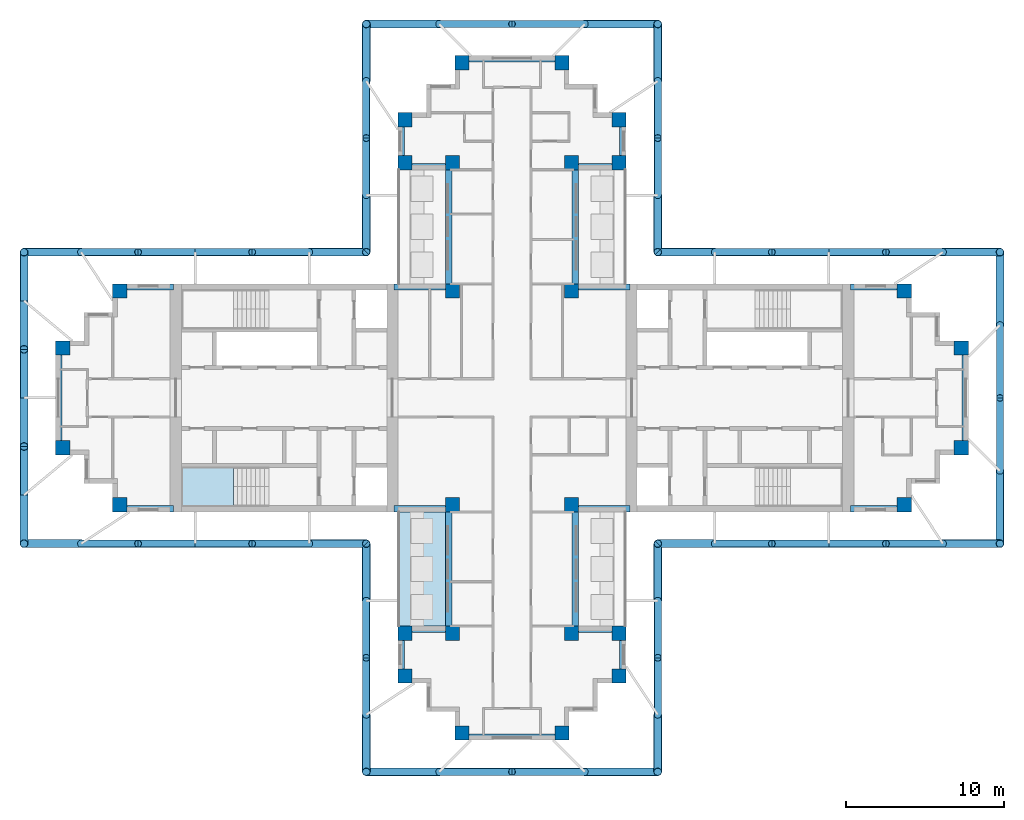
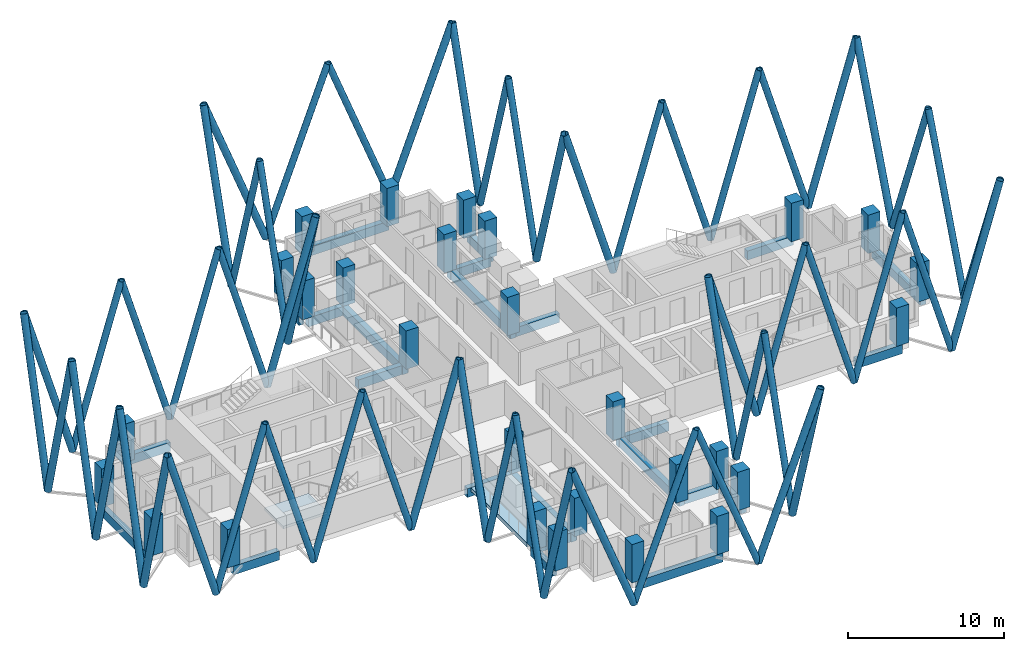
# One storey, part 1 of 11: 58 members, 28 columns, 24 beams, 2 slabs, 1 element without a shape of its own.
"""IFC4 building model written with IfcOpenShell, lengths in metres."""

from ifc_helpers import new_model, si_unit, direction, frame, origin, origin_2d, place, context, subcontext, project, spatial, polyline, rectangle, hollow_circle, outline, extrude, material, layer, layer_set, material_profile, profile_set, type_object, element, aggregate, save


model = new_model("IFC4")

# Units and contexts
model_context = context("Model", 3, precision=1e-05, world=origin(), true_north=direction((0.0, 1.0)))
body_context = subcontext(model_context, "Body", "Model", "MODEL_VIEW")
ifc_project = project(units=[si_unit("LENGTHUNIT", "METRE"), si_unit("AREAUNIT", "SQUARE_METRE"), si_unit("VOLUMEUNIT", "CUBIC_METRE"), si_unit("PLANEANGLEUNIT", "RADIAN"), si_unit("MASSUNIT", "GRAM", prefix="KILO")], contexts=[model_context])

# Site, building, storey
site_placement = place(None, origin())
site = spatial("IfcSite", under=ifc_project, at=site_placement, CompositionType="ELEMENT")
building_placement = place(site_placement, origin())
building = spatial("IfcBuilding", under=site, at=building_placement, Name="Fustian Cross Tower", CompositionType="ELEMENT")
storey_placement = place(building_placement, frame((0.0, 0.0, 210.89990234375)))
storey = spatial("IfcBuildingStorey", under=building, at=storey_placement, Name="L66", CompositionType="ELEMENT", Elevation=210.89990234375)

# Columns
ifc_material_1 = material(Name="Concrete C40/50", Category="concrete")
ifc_material_profile_1 = material_profile(ifc_material_1, rectangle(XDim=0.89990234375, YDim=0.89990234375, at=origin_2d()), Name="RC 900x900")
ifc_profile_set_1 = profile_set([ifc_material_profile_1], Name="Concrete C40/50")
column_type = type_object("IfcColumnType", Name="COLUMN RC 900x900 C40/50", PredefinedType="COLUMN", material=ifc_profile_set_1)
for number, where, z_axis, x_axis, name in (
    (1, (-28.35009765625, -3.14990234375, 0.0), (0.0, 0.0, 1.0), (1.0, 0.0, 0.0), "COLUMN 008"),
    (2, (-28.35009765625, 3.14990234375, 0.0), (0.0, 0.0, 1.0), (1.0, 0.0, 0.0), "COLUMN 009"),
    (3, (-24.75, -6.75, 0.0), (0.0, 0.0, 1.0), (1.0, 0.0, 0.0), "COLUMN 011"),
    (4, (-24.75, 6.75, 0.0), (0.0, 0.0, 1.0), (1.0, 0.0, 0.0), "COLUMN 012"),
    (5, (-6.75, -17.550048828125, 0.0), (0.0, 0.0, 1.0), (1.0, 0.0, 0.0), "COLUMN 017"),
    (6, (-6.75, -14.85009765625, 0.0), (0.0, 0.0, 1.0), (1.0, 0.0, 0.0), "COLUMN 018"),
    (7, (-6.75, 14.85009765625, 0.0), (0.0, 0.0, 1.0), (1.0, 0.0, 0.0), "COLUMN 019"),
    (8, (-6.75, 17.550048828125, 0.0), (0.0, 0.0, 1.0), (1.0, 0.0, 0.0), "COLUMN 020"),
    (9, (-3.75, -14.85009765625, 0.0), (0.0, 0.0, 1.0), (1.0, 0.0, 0.0), "COLUMN 025"),
    (10, (-3.75, -6.75, 0.0), (0.0, 0.0, 1.0), (1.0, 0.0, 0.0), "COLUMN 026"),
    (11, (-3.75, 6.75, 0.0), (0.0, 0.0, 1.0), (1.0, 0.0, 0.0), "COLUMN 027"),
    (12, (-3.75, 14.85009765625, 0.0), (0.0, 0.0, 1.0), (1.0, 0.0, 0.0), "COLUMN 028"),
    (13, (-3.14990234375, -21.14990234375, 0.0), (0.0, 0.0, 1.0), (1.0, 0.0, 0.0), "COLUMN 030"),
    (14, (-3.14990234375, 21.14990234375, 0.0), (0.0, 0.0, 1.0), (1.0, 0.0, 0.0), "COLUMN 031"),
    (15, (3.14990234375, -21.14990234375, 0.0), (0.0, 0.0, 1.0), (1.0, 0.0, 0.0), "COLUMN 034"),
    (16, (3.14990234375, 21.14990234375, 0.0), (0.0, 0.0, 1.0), (1.0, 0.0, 0.0), "COLUMN 035"),
    (17, (3.75, -14.85009765625, 0.0), (0.0, 0.0, 1.0), (1.0, 0.0, 0.0), "COLUMN 037"),
    (18, (3.75, -6.75, 0.0), (0.0, 0.0, 1.0), (1.0, 0.0, 0.0), "COLUMN 038"),
    (19, (3.75, 6.75, 0.0), (0.0, 0.0, 1.0), (1.0, 0.0, 0.0), "COLUMN 039"),
    (20, (3.75, 14.85009765625, 0.0), (0.0, 0.0, 1.0), (1.0, 0.0, 0.0), "COLUMN 040"),
    (21, (6.75, -17.550048828125, 0.0), (0.0, 0.0, 1.0), (1.0, 0.0, 0.0), "COLUMN 045"),
    (22, (6.75, -14.85009765625, 0.0), (0.0, 0.0, 1.0), (1.0, 0.0, 0.0), "COLUMN 046"),
    (23, (6.75, 14.85009765625, 0.0), (0.0, 0.0, 1.0), (1.0, 0.0, 0.0), "COLUMN 047"),
    (24, (6.75, 17.550048828125, 0.0), (0.0, 0.0, 1.0), (1.0, 0.0, 0.0), "COLUMN 048"),
    (25, (24.75, -6.75, 0.0), (0.0, 0.0, 1.0), (1.0, 0.0, 0.0), "COLUMN 053"),
    (26, (24.75, 6.75, 0.0), (0.0, 0.0, 1.0), (1.0, 0.0, 0.0), "COLUMN 054"),
    (27, (28.35009765625, -3.14990234375, 0.0), (0.0, 0.0, 1.0), (1.0, 0.0, 0.0), "COLUMN 056"),
    (28, (28.35009765625, 3.14990234375, 0.0), (0.0, 0.0, 1.0), (1.0, 0.0, 0.0), "COLUMN 057"),
):
    element("IfcColumn", number, at=place(storey_placement, frame(where, z_axis=z_axis, x_axis=x_axis)), inside=storey, type_object=column_type, Name=name, PredefinedType="COLUMN", context=body_context, shape_type="SweptSolid", body=[
        extrude(rectangle(XDim=0.89990234375, YDim=0.89990234375, at=origin_2d()), origin(), (0.0, 0.0, 1.0), 3.0),
    ])

# Members
ifc_material_2 = material(Name="Steel S355", Category="steel")
ifc_material_profile_2 = material_profile(ifc_material_2, hollow_circle(Radius=0.228515625, WallThickness=0.01611328125, at=origin_2d()), Name="CHS 457x16")
ifc_profile_set_2 = profile_set([ifc_material_profile_2], Name="Steel S355")
member_type_1 = type_object("IfcMemberType", Name="DIAGRID DIAGONAL CHS 457x16", PredefinedType="BRACE", material=ifc_profile_set_2)
for number, where, z_axis, x_axis, name in (
    (29, (12.800048828125, -9.199951171875, 0.0), (0.287337158709, 0.0, 0.957829503213), (0.0, 1.0, 0.0), "Diagrid diagonal E-S 02"),
    (30, (20.0, -9.199951171875, 0.0), (-0.287355036744, 0.0, 0.957824139839), (0.0, -1.0, 0.0), "Diagrid diagonal E-S 03"),
    (31, (20.0, -9.199951171875, 0.0), (0.287355036744, 0.0, 0.957824139839), (0.0, 1.0, 0.0), "Diagrid diagonal E-S 04"),
    (32, (27.199951171875, -9.199951171875, 0.0), (-0.287337158709, 0.0, 0.957829503213), (0.0, -1.0, 0.0), "Diagrid diagonal E-S 05"),
):
    element("IfcMember", number, at=place(storey_placement, frame(where, z_axis=z_axis, x_axis=x_axis)), inside=storey, type_object=member_type_1, Name=name, PredefinedType="BRACE", context=body_context, shape_type="SweptSolid", body=[
        extrude(hollow_circle(Radius=0.228515625, WallThickness=0.01611328125, at=origin_2d()), origin(), (0.0, 0.0, 1.0), 12.5283203125),
    ])
for number, where, z_axis, x_axis, name in (
    (33, (30.800048828125, -4.60009765625, 0.0), (0.0, 0.3579426369, 0.933743577589), (-1.0, 0.0, 0.0), "Diagrid diagonal E-end 02"),
    (34, (30.800048828125, 4.60009765625, 0.0), (0.0, -0.3579426369, 0.933743577589), (1.0, 0.0, 0.0), "Diagrid diagonal E-end 03"),
):
    element("IfcMember", number, at=place(storey_placement, frame(where, z_axis=z_axis, x_axis=x_axis)), inside=storey, type_object=member_type_1, Name=name, PredefinedType="BRACE", context=body_context, shape_type="SweptSolid", body=[
        extrude(hollow_circle(Radius=0.228515625, WallThickness=0.01611328125, at=origin_2d()), origin(), (0.0, 0.0, 1.0), 12.8515625),
    ])
for number, where, z_axis, x_axis, name in (
    (35, (27.199951171875, 9.199951171875, 0.0), (-0.287337158709, 0.0, 0.957829503213), (0.0, -1.0, 0.0), "Diagrid diagonal E-N 02"),
    (36, (20.0, 9.199951171875, 0.0), (0.287355036744, 0.0, 0.957824139839), (0.0, 1.0, 0.0), "Diagrid diagonal E-N 03"),
    (37, (20.0, 9.199951171875, 0.0), (-0.287355036744, 0.0, 0.957824139839), (0.0, -1.0, 0.0), "Diagrid diagonal E-N 04"),
    (38, (12.800048828125, 9.199951171875, 0.0), (0.287337158709, 0.0, 0.957829503213), (0.0, 1.0, 0.0), "Diagrid diagonal E-N 05"),
    (39, (9.199951171875, 12.800048828125, 0.0), (0.0, 0.287337158709, 0.957829503213), (-1.0, 0.0, 0.0), "Diagrid diagonal N-E 02"),
    (40, (9.199951171875, 20.0, 0.0), (0.0, -0.287355036744, 0.957824139839), (1.0, 0.0, 0.0), "Diagrid diagonal N-E 03"),
):
    element("IfcMember", number, at=place(storey_placement, frame(where, z_axis=z_axis, x_axis=x_axis)), inside=storey, type_object=member_type_1, Name=name, PredefinedType="BRACE", context=body_context, shape_type="SweptSolid", body=[
        extrude(hollow_circle(Radius=0.228515625, WallThickness=0.01611328125, at=origin_2d()), origin(), (0.0, 0.0, 1.0), 12.5283203125),
    ])
for number, where, z_axis, x_axis, name in (
    (41, (4.60009765625, 23.60009765625, 0.0), (-0.3579426369, 0.0, 0.933743577589), (0.0, -1.0, 0.0), "Diagrid diagonal N-end 02"),
    (42, (-4.60009765625, 23.60009765625, 0.0), (0.3579426369, 0.0, 0.933743577589), (0.0, 1.0, 0.0), "Diagrid diagonal N-end 03"),
):
    element("IfcMember", number, at=place(storey_placement, frame(where, z_axis=z_axis, x_axis=x_axis)), inside=storey, type_object=member_type_1, Name=name, PredefinedType="BRACE", context=body_context, shape_type="SweptSolid", body=[
        extrude(hollow_circle(Radius=0.228515625, WallThickness=0.01611328125, at=origin_2d()), origin(), (0.0, 0.0, 1.0), 12.8515625),
    ])
for number, where, z_axis, x_axis, name in (
    (43, (-9.199951171875, 20.0, 0.0), (0.0, -0.287355036744, 0.957824139839), (1.0, 0.0, 0.0), "Diagrid diagonal N-W 02"),
    (44, (-9.199951171875, 12.800048828125, 0.0), (0.0, 0.287337158709, 0.957829503213), (-1.0, 0.0, 0.0), "Diagrid diagonal N-W 03"),
    (45, (-12.800048828125, 9.199951171875, 0.0), (-0.287337158709, 0.0, 0.957829503213), (0.0, -1.0, 0.0), "Diagrid diagonal W-N 02"),
    (46, (-20.0, 9.199951171875, 0.0), (0.287355036744, 0.0, 0.957824139839), (0.0, 1.0, 0.0), "Diagrid diagonal W-N 03"),
    (47, (-20.0, 9.199951171875, 0.0), (-0.287355036744, 0.0, 0.957824139839), (0.0, -1.0, 0.0), "Diagrid diagonal W-N 04"),
    (48, (-27.199951171875, 9.199951171875, 0.0), (0.287337158709, 0.0, 0.957829503213), (0.0, 1.0, 0.0), "Diagrid diagonal W-N 05"),
    (49, (-27.199951171875, -9.199951171875, 0.0), (0.287337158709, 0.0, 0.957829503213), (0.0, 1.0, 0.0), "Diagrid diagonal W-S 02"),
    (50, (-20.0, -9.199951171875, 0.0), (-0.287355036744, 0.0, 0.957824139839), (0.0, -1.0, 0.0), "Diagrid diagonal W-S 03"),
    (51, (-20.0, -9.199951171875, 0.0), (0.287355036744, 0.0, 0.957824139839), (0.0, 1.0, 0.0), "Diagrid diagonal W-S 04"),
    (52, (-12.800048828125, -9.199951171875, 0.0), (-0.287337158709, 0.0, 0.957829503213), (0.0, -1.0, 0.0), "Diagrid diagonal W-S 05"),
    (53, (-9.199951171875, -12.800048828125, 0.0), (0.0, -0.287337158709, 0.957829503213), (1.0, 0.0, 0.0), "Diagrid diagonal S-W 02"),
    (54, (-9.199951171875, -20.0, 0.0), (0.0, 0.287355036744, 0.957824139839), (-1.0, 0.0, 0.0), "Diagrid diagonal S-W 03"),
):
    element("IfcMember", number, at=place(storey_placement, frame(where, z_axis=z_axis, x_axis=x_axis)), inside=storey, type_object=member_type_1, Name=name, PredefinedType="BRACE", context=body_context, shape_type="SweptSolid", body=[
        extrude(hollow_circle(Radius=0.228515625, WallThickness=0.01611328125, at=origin_2d()), origin(), (0.0, 0.0, 1.0), 12.5283203125),
    ])
for number, where, z_axis, x_axis, name in (
    (55, (-4.60009765625, -23.60009765625, 0.0), (0.3579426369, 0.0, 0.933743577589), (0.0, 1.0, 0.0), "Diagrid diagonal S-end 02"),
    (56, (4.60009765625, -23.60009765625, 0.0), (-0.3579426369, 0.0, 0.933743577589), (0.0, -1.0, 0.0), "Diagrid diagonal S-end 03"),
):
    element("IfcMember", number, at=place(storey_placement, frame(where, z_axis=z_axis, x_axis=x_axis)), inside=storey, type_object=member_type_1, Name=name, PredefinedType="BRACE", context=body_context, shape_type="SweptSolid", body=[
        extrude(hollow_circle(Radius=0.228515625, WallThickness=0.01611328125, at=origin_2d()), origin(), (0.0, 0.0, 1.0), 12.8515625),
    ])
for number, where, z_axis, x_axis, name in (
    (57, (9.199951171875, -20.0, 0.0), (0.0, 0.287355036744, 0.957824139839), (-1.0, 0.0, 0.0), "Diagrid diagonal S-E 02"),
    (58, (9.199951171875, -12.800048828125, 0.0), (0.0, -0.287337158709, 0.957829503213), (1.0, 0.0, 0.0), "Diagrid diagonal S-E 03"),
):
    element("IfcMember", number, at=place(storey_placement, frame(where, z_axis=z_axis, x_axis=x_axis)), inside=storey, type_object=member_type_1, Name=name, PredefinedType="BRACE", context=body_context, shape_type="SweptSolid", body=[
        extrude(hollow_circle(Radius=0.228515625, WallThickness=0.01611328125, at=origin_2d()), origin(), (0.0, 0.0, 1.0), 12.5283203125),
    ])
ifc_material_3 = material(Name="Steel S355", Category="steel")
ifc_material_profile_3 = material_profile(ifc_material_3, hollow_circle(Radius=0.25390625, WallThickness=0.02001953125, at=origin_2d()), Name="CHS 508x20")
ifc_profile_set_3 = profile_set([ifc_material_profile_3], Name="Steel S355")
member_type_2 = type_object("IfcMemberType", Name="DIAGRID DIAGONAL CHS 508x20", PredefinedType="BRACE", material=ifc_profile_set_3)
for number, where, z_axis, x_axis, name in (
    (59, (12.800048828125, -9.199951171875, 0.0), (-0.287355036744, 0.0, 0.957824139839), (0.0, -1.0, 0.0), "Diagrid diagonal E-S 01"),
    (60, (27.199951171875, -9.199951171875, 0.0), (0.287355036744, 0.0, 0.957824139839), (0.0, 1.0, 0.0), "Diagrid diagonal E-S 06"),
):
    element("IfcMember", number, at=place(storey_placement, frame(where, z_axis=z_axis, x_axis=x_axis)), inside=storey, type_object=member_type_2, Name=name, PredefinedType="BRACE", context=body_context, shape_type="SweptSolid", body=[
        extrude(hollow_circle(Radius=0.25390625, WallThickness=0.02001953125, at=origin_2d()), origin(), (0.0, 0.0, 1.0), 12.5283203125),
    ])
for number, where, z_axis, x_axis, name in (
    (61, (30.800048828125, -4.60009765625, 0.0), (0.0, -0.357926073629, 0.933749926809), (1.0, 0.0, 0.0), "Diagrid diagonal E-end 01"),
    (62, (30.800048828125, 4.60009765625, 0.0), (0.0, 0.357926073629, 0.933749926809), (-1.0, 0.0, 0.0), "Diagrid diagonal E-end 04"),
):
    element("IfcMember", number, at=place(storey_placement, frame(where, z_axis=z_axis, x_axis=x_axis)), inside=storey, type_object=member_type_2, Name=name, PredefinedType="BRACE", context=body_context, shape_type="SweptSolid", body=[
        extrude(hollow_circle(Radius=0.25390625, WallThickness=0.02001953125, at=origin_2d()), origin(), (0.0, 0.0, 1.0), 12.851318359375),
    ])
for number, where, z_axis, x_axis, name in (
    (63, (27.199951171875, 9.199951171875, 0.0), (0.287355036744, 0.0, 0.957824139839), (0.0, 1.0, 0.0), "Diagrid diagonal E-N 01"),
    (64, (12.800048828125, 9.199951171875, 0.0), (-0.287355036744, 0.0, 0.957824139839), (0.0, -1.0, 0.0), "Diagrid diagonal E-N 06"),
    (65, (9.199951171875, 12.800048828125, 0.0), (0.0, -0.287355036744, 0.957824139839), (1.0, 0.0, 0.0), "Diagrid diagonal N-E 01"),
    (66, (9.199951171875, 20.0, 0.0), (0.0, 0.287355036744, 0.957824139839), (-1.0, 0.0, 0.0), "Diagrid diagonal N-E 04"),
):
    element("IfcMember", number, at=place(storey_placement, frame(where, z_axis=z_axis, x_axis=x_axis)), inside=storey, type_object=member_type_2, Name=name, PredefinedType="BRACE", context=body_context, shape_type="SweptSolid", body=[
        extrude(hollow_circle(Radius=0.25390625, WallThickness=0.02001953125, at=origin_2d()), origin(), (0.0, 0.0, 1.0), 12.5283203125),
    ])
for number, where, z_axis, x_axis, name in (
    (67, (4.60009765625, 23.60009765625, 0.0), (0.357926073629, 0.0, 0.933749926809), (0.0, 1.0, 0.0), "Diagrid diagonal N-end 01"),
    (68, (-4.60009765625, 23.60009765625, 0.0), (-0.357926073629, 0.0, 0.933749926809), (0.0, -1.0, 0.0), "Diagrid diagonal N-end 04"),
):
    element("IfcMember", number, at=place(storey_placement, frame(where, z_axis=z_axis, x_axis=x_axis)), inside=storey, type_object=member_type_2, Name=name, PredefinedType="BRACE", context=body_context, shape_type="SweptSolid", body=[
        extrude(hollow_circle(Radius=0.25390625, WallThickness=0.02001953125, at=origin_2d()), origin(), (0.0, 0.0, 1.0), 12.851318359375),
    ])
for number, where, z_axis, x_axis, name in (
    (69, (-9.199951171875, 20.0, 0.0), (0.0, 0.287355036744, 0.957824139839), (-1.0, 0.0, 0.0), "Diagrid diagonal N-W 01"),
    (70, (-9.199951171875, 12.800048828125, 0.0), (0.0, -0.287355036744, 0.957824139839), (1.0, 0.0, 0.0), "Diagrid diagonal N-W 04"),
    (71, (-12.800048828125, 9.199951171875, 0.0), (0.287355036744, 0.0, 0.957824139839), (0.0, 1.0, 0.0), "Diagrid diagonal W-N 01"),
    (72, (-27.199951171875, 9.199951171875, 0.0), (-0.287355036744, 0.0, 0.957824139839), (0.0, -1.0, 0.0), "Diagrid diagonal W-N 06"),
):
    element("IfcMember", number, at=place(storey_placement, frame(where, z_axis=z_axis, x_axis=x_axis)), inside=storey, type_object=member_type_2, Name=name, PredefinedType="BRACE", context=body_context, shape_type="SweptSolid", body=[
        extrude(hollow_circle(Radius=0.25390625, WallThickness=0.02001953125, at=origin_2d()), origin(), (0.0, 0.0, 1.0), 12.5283203125),
    ])
for number, where, z_axis, x_axis, name in (
    (73, (-30.800048828125, 6.13330078125, 0.0), (0.0, 0.247597033967, 0.96886310115), (-1.0, 0.0, 0.0), "Diagrid diagonal W-end 01"),
    (74, (-30.800048828125, 6.13330078125, 0.0), (0.0, -0.247597033967, 0.96886310115), (1.0, 0.0, 0.0), "Diagrid diagonal W-end 02"),
    (75, (-30.800048828125, 0.0, 0.0), (0.0, 0.247597033967, 0.96886310115), (-1.0, 0.0, 0.0), "Diagrid diagonal W-end 03"),
    (76, (-30.800048828125, 0.0, 0.0), (0.0, -0.247597033967, 0.96886310115), (1.0, 0.0, 0.0), "Diagrid diagonal W-end 04"),
    (77, (-30.800048828125, -6.13330078125, 0.0), (0.0, 0.247597033967, 0.96886310115), (-1.0, 0.0, 0.0), "Diagrid diagonal W-end 05"),
    (78, (-30.800048828125, -6.13330078125, 0.0), (0.0, -0.247597033967, 0.96886310115), (1.0, 0.0, 0.0), "Diagrid diagonal W-end 06"),
):
    element("IfcMember", number, at=place(storey_placement, frame(where, z_axis=z_axis, x_axis=x_axis)), inside=storey, type_object=member_type_2, Name=name, PredefinedType="BRACE", context=body_context, shape_type="SweptSolid", body=[
        extrude(hollow_circle(Radius=0.25390625, WallThickness=0.02001953125, at=origin_2d()), origin(), (0.0, 0.0, 1.0), 12.3857421875),
    ])
for number, where, z_axis, x_axis, name in (
    (79, (-27.199951171875, -9.199951171875, 0.0), (-0.287355036744, 0.0, 0.957824139839), (0.0, -1.0, 0.0), "Diagrid diagonal W-S 01"),
    (80, (-12.800048828125, -9.199951171875, 0.0), (0.287355036744, 0.0, 0.957824139839), (0.0, 1.0, 0.0), "Diagrid diagonal W-S 06"),
    (81, (-9.199951171875, -12.800048828125, 0.0), (0.0, 0.287355036744, 0.957824139839), (-1.0, 0.0, 0.0), "Diagrid diagonal S-W 01"),
    (82, (-9.199951171875, -20.0, 0.0), (0.0, -0.287355036744, 0.957824139839), (1.0, 0.0, 0.0), "Diagrid diagonal S-W 04"),
):
    element("IfcMember", number, at=place(storey_placement, frame(where, z_axis=z_axis, x_axis=x_axis)), inside=storey, type_object=member_type_2, Name=name, PredefinedType="BRACE", context=body_context, shape_type="SweptSolid", body=[
        extrude(hollow_circle(Radius=0.25390625, WallThickness=0.02001953125, at=origin_2d()), origin(), (0.0, 0.0, 1.0), 12.5283203125),
    ])
for number, where, z_axis, x_axis, name in (
    (83, (-4.60009765625, -23.60009765625, 0.0), (-0.357926073629, 0.0, 0.933749926809), (0.0, -1.0, 0.0), "Diagrid diagonal S-end 01"),
    (84, (4.60009765625, -23.60009765625, 0.0), (0.357926073629, 0.0, 0.933749926809), (0.0, 1.0, 0.0), "Diagrid diagonal S-end 04"),
):
    element("IfcMember", number, at=place(storey_placement, frame(where, z_axis=z_axis, x_axis=x_axis)), inside=storey, type_object=member_type_2, Name=name, PredefinedType="BRACE", context=body_context, shape_type="SweptSolid", body=[
        extrude(hollow_circle(Radius=0.25390625, WallThickness=0.02001953125, at=origin_2d()), origin(), (0.0, 0.0, 1.0), 12.851318359375),
    ])
for number, where, z_axis, x_axis, name in (
    (85, (9.199951171875, -20.0, 0.0), (0.0, -0.287355036744, 0.957824139839), (1.0, 0.0, 0.0), "Diagrid diagonal S-E 01"),
    (86, (9.199951171875, -12.800048828125, 0.0), (0.0, 0.287355036744, 0.957824139839), (-1.0, 0.0, 0.0), "Diagrid diagonal S-E 04"),
):
    element("IfcMember", number, at=place(storey_placement, frame(where, z_axis=z_axis, x_axis=x_axis)), inside=storey, type_object=member_type_2, Name=name, PredefinedType="BRACE", context=body_context, shape_type="SweptSolid", body=[
        extrude(hollow_circle(Radius=0.25390625, WallThickness=0.02001953125, at=origin_2d()), origin(), (0.0, 0.0, 1.0), 12.5283203125),
    ])

# Beams
ifc_material_4 = material(Name="Concrete C50/60", Category="concrete")
ifc_material_profile_4 = material_profile(ifc_material_4, rectangle(XDim=0.39990234375, YDim=0.699951171875, at=origin_2d()), Name="RC 400x700")
ifc_profile_set_4 = profile_set([ifc_material_profile_4], Name="Concrete C50/60")
beam_type = type_object("IfcBeamType", Name="EDGE BEAM RC 400x700 C50/60", PredefinedType="SPANDREL", material=ifc_profile_set_4)
beam_1_placement = place(storey_placement, frame((21.35009765625, -7.0, -0.349853515625), z_axis=(1.0, 0.0, 0.0), x_axis=(0.0, 1.0, 0.0)))
element("IfcBeam", 87, at=beam_1_placement, inside=storey, type_object=beam_type, Name="EDGE BEAM L66-01", PredefinedType="SPANDREL", context=body_context, shape_type="SweptSolid", body=[
    extrude(rectangle(XDim=0.39990234375, YDim=0.699951171875, at=origin_2d()), origin(), (0.0, 0.0, 1.0), 3.39990234375),
])
beam_2_placement = place(storey_placement, frame((28.60009765625, -3.14990234375, -0.349853515625), z_axis=(0.0, 1.0, 0.0), x_axis=(-1.0, 0.0, 0.0)))
element("IfcBeam", 88, at=beam_2_placement, inside=storey, type_object=beam_type, Name="EDGE BEAM L66-02", PredefinedType="SPANDREL", context=body_context, shape_type="SweptSolid", body=[
    extrude(rectangle(XDim=0.39990234375, YDim=0.699951171875, at=origin_2d()), origin(), (0.0, 0.0, 1.0), 6.2998046875),
])
beam_3_placement = place(storey_placement, frame((24.75, 7.0, -0.349853515625), z_axis=(-1.0, 0.0, 0.0), x_axis=(0.0, -1.0, 0.0)))
element("IfcBeam", 89, at=beam_3_placement, inside=storey, type_object=beam_type, Name="EDGE BEAM L66-03", PredefinedType="SPANDREL", context=body_context, shape_type="SweptSolid", body=[
    extrude(rectangle(XDim=0.39990234375, YDim=0.699951171875, at=origin_2d()), origin(), (0.0, 0.0, 1.0), 3.39990234375),
])
beam_4_placement = place(storey_placement, frame((7.449951171875, 7.0, -0.349853515625), z_axis=(-1.0, 0.0, 0.0), x_axis=(0.0, -1.0, 0.0)))
element("IfcBeam", 90, at=beam_4_placement, inside=storey, type_object=beam_type, Name="EDGE BEAM L66-04", PredefinedType="SPANDREL", context=body_context, shape_type="SweptSolid", body=[
    extrude(rectangle(XDim=0.39990234375, YDim=0.699951171875, at=origin_2d()), origin(), (0.0, 0.0, 1.0), 3.699951171875),
])
beam_5_placement = place(storey_placement, frame((4.0, 6.75, -0.349853515625), z_axis=(0.0, 1.0, 0.0), x_axis=(-1.0, 0.0, 0.0)))
element("IfcBeam", 91, at=beam_5_placement, inside=storey, type_object=beam_type, Name="EDGE BEAM L66-05", PredefinedType="SPANDREL", context=body_context, shape_type="SweptSolid", body=[
    extrude(rectangle(XDim=0.39990234375, YDim=0.699951171875, at=origin_2d()), origin(), (0.0, 0.0, 1.0), 8.10009765625),
])
beam_6_placement = place(storey_placement, frame((3.75, 14.60009765625, -0.349853515625), z_axis=(1.0, 0.0, 0.0), x_axis=(0.0, 1.0, 0.0)))
element("IfcBeam", 92, at=beam_6_placement, inside=storey, type_object=beam_type, Name="EDGE BEAM L66-06", PredefinedType="SPANDREL", context=body_context, shape_type="SweptSolid", body=[
    extrude(rectangle(XDim=0.39990234375, YDim=0.699951171875, at=origin_2d()), origin(), (0.0, 0.0, 1.0), 3.0),
])
beam_7_placement = place(storey_placement, frame((7.0, 14.85009765625, -0.349853515625), z_axis=(0.0, 1.0, 0.0), x_axis=(-1.0, 0.0, 0.0)))
element("IfcBeam", 93, at=beam_7_placement, inside=storey, type_object=beam_type, Name="EDGE BEAM L66-07", PredefinedType="SPANDREL", context=body_context, shape_type="SweptSolid", body=[
    extrude(rectangle(XDim=0.39990234375, YDim=0.699951171875, at=origin_2d()), origin(), (0.0, 0.0, 1.0), 2.699951171875),
])
beam_8_placement = place(storey_placement, frame((3.14990234375, 21.39990234375, -0.349853515625), z_axis=(-1.0, 0.0, 0.0), x_axis=(0.0, -1.0, 0.0)))
element("IfcBeam", 94, at=beam_8_placement, inside=storey, type_object=beam_type, Name="EDGE BEAM L66-08", PredefinedType="SPANDREL", context=body_context, shape_type="SweptSolid", body=[
    extrude(rectangle(XDim=0.39990234375, YDim=0.699951171875, at=origin_2d()), origin(), (0.0, 0.0, 1.0), 6.2998046875),
])
beam_9_placement = place(storey_placement, frame((-7.0, 17.550048828125, -0.349853515625), z_axis=(0.0, -1.0, 0.0), x_axis=(1.0, 0.0, 0.0)))
element("IfcBeam", 95, at=beam_9_placement, inside=storey, type_object=beam_type, Name="EDGE BEAM L66-09", PredefinedType="SPANDREL", context=body_context, shape_type="SweptSolid", body=[
    extrude(rectangle(XDim=0.39990234375, YDim=0.699951171875, at=origin_2d()), origin(), (0.0, 0.0, 1.0), 2.699951171875),
])
beam_10_placement = place(storey_placement, frame((-6.75, 14.60009765625, -0.349853515625), z_axis=(1.0, 0.0, 0.0), x_axis=(0.0, 1.0, 0.0)))
element("IfcBeam", 96, at=beam_10_placement, inside=storey, type_object=beam_type, Name="EDGE BEAM L66-10", PredefinedType="SPANDREL", context=body_context, shape_type="SweptSolid", body=[
    extrude(rectangle(XDim=0.39990234375, YDim=0.699951171875, at=origin_2d()), origin(), (0.0, 0.0, 1.0), 3.0),
])
beam_11_placement = place(storey_placement, frame((-4.0, 14.85009765625, -0.349853515625), z_axis=(0.0, -1.0, 0.0), x_axis=(1.0, 0.0, 0.0)))
element("IfcBeam", 97, at=beam_11_placement, inside=storey, type_object=beam_type, Name="EDGE BEAM L66-11", PredefinedType="SPANDREL", context=body_context, shape_type="SweptSolid", body=[
    extrude(rectangle(XDim=0.39990234375, YDim=0.699951171875, at=origin_2d()), origin(), (0.0, 0.0, 1.0), 8.10009765625),
])
beam_12_placement = place(storey_placement, frame((-3.75, 7.0, -0.349853515625), z_axis=(-1.0, 0.0, 0.0), x_axis=(0.0, -1.0, 0.0)))
element("IfcBeam", 98, at=beam_12_placement, inside=storey, type_object=beam_type, Name="EDGE BEAM L66-12", PredefinedType="SPANDREL", context=body_context, shape_type="SweptSolid", body=[
    extrude(rectangle(XDim=0.39990234375, YDim=0.699951171875, at=origin_2d()), origin(), (0.0, 0.0, 1.0), 3.699951171875),
])
beam_13_placement = place(storey_placement, frame((-21.35009765625, 7.0, -0.349853515625), z_axis=(-1.0, 0.0, 0.0), x_axis=(0.0, -1.0, 0.0)))
element("IfcBeam", 99, at=beam_13_placement, inside=storey, type_object=beam_type, Name="EDGE BEAM L66-13", PredefinedType="SPANDREL", context=body_context, shape_type="SweptSolid", body=[
    extrude(rectangle(XDim=0.39990234375, YDim=0.699951171875, at=origin_2d()), origin(), (0.0, 0.0, 1.0), 3.39990234375),
])
beam_14_placement = place(storey_placement, frame((-28.60009765625, 3.14990234375, -0.349853515625), z_axis=(0.0, -1.0, 0.0), x_axis=(1.0, 0.0, 0.0)))
element("IfcBeam", 100, at=beam_14_placement, inside=storey, type_object=beam_type, Name="EDGE BEAM L66-14", PredefinedType="SPANDREL", context=body_context, shape_type="SweptSolid", body=[
    extrude(rectangle(XDim=0.39990234375, YDim=0.699951171875, at=origin_2d()), origin(), (0.0, 0.0, 1.0), 6.2998046875),
])
beam_15_placement = place(storey_placement, frame((-24.75, -7.0, -0.349853515625), z_axis=(1.0, 0.0, 0.0), x_axis=(0.0, 1.0, 0.0)))
element("IfcBeam", 101, at=beam_15_placement, inside=storey, type_object=beam_type, Name="EDGE BEAM L66-15", PredefinedType="SPANDREL", context=body_context, shape_type="SweptSolid", body=[
    extrude(rectangle(XDim=0.39990234375, YDim=0.699951171875, at=origin_2d()), origin(), (0.0, 0.0, 1.0), 3.39990234375),
])
beam_16_placement = place(storey_placement, frame((-7.449951171875, -7.0, -0.349853515625), z_axis=(1.0, 0.0, 0.0), x_axis=(0.0, 1.0, 0.0)))
element("IfcBeam", 102, at=beam_16_placement, inside=storey, type_object=beam_type, Name="EDGE BEAM L66-16", PredefinedType="SPANDREL", context=body_context, shape_type="SweptSolid", body=[
    extrude(rectangle(XDim=0.39990234375, YDim=0.699951171875, at=origin_2d()), origin(), (0.0, 0.0, 1.0), 3.699951171875),
])
beam_17_placement = place(storey_placement, frame((-4.0, -6.75, -0.349853515625), z_axis=(0.0, -1.0, 0.0), x_axis=(1.0, 0.0, 0.0)))
element("IfcBeam", 103, at=beam_17_placement, inside=storey, type_object=beam_type, Name="EDGE BEAM L66-17", PredefinedType="SPANDREL", context=body_context, shape_type="SweptSolid", body=[
    extrude(rectangle(XDim=0.39990234375, YDim=0.699951171875, at=origin_2d()), origin(), (0.0, 0.0, 1.0), 8.10009765625),
])
beam_18_placement = place(storey_placement, frame((-3.75, -14.60009765625, -0.349853515625), z_axis=(-1.0, 0.0, 0.0), x_axis=(0.0, -1.0, 0.0)))
element("IfcBeam", 104, at=beam_18_placement, inside=storey, type_object=beam_type, Name="EDGE BEAM L66-18", PredefinedType="SPANDREL", context=body_context, shape_type="SweptSolid", body=[
    extrude(rectangle(XDim=0.39990234375, YDim=0.699951171875, at=origin_2d()), origin(), (0.0, 0.0, 1.0), 3.0),
])
beam_19_placement = place(storey_placement, frame((-7.0, -14.85009765625, -0.349853515625), z_axis=(0.0, -1.0, 0.0), x_axis=(1.0, 0.0, 0.0)))
element("IfcBeam", 105, at=beam_19_placement, inside=storey, type_object=beam_type, Name="EDGE BEAM L66-19", PredefinedType="SPANDREL", context=body_context, shape_type="SweptSolid", body=[
    extrude(rectangle(XDim=0.39990234375, YDim=0.699951171875, at=origin_2d()), origin(), (0.0, 0.0, 1.0), 2.699951171875),
])
beam_20_placement = place(storey_placement, frame((-3.14990234375, -21.39990234375, -0.349853515625), z_axis=(1.0, 0.0, 0.0), x_axis=(0.0, 1.0, 0.0)))
element("IfcBeam", 106, at=beam_20_placement, inside=storey, type_object=beam_type, Name="EDGE BEAM L66-20", PredefinedType="SPANDREL", context=body_context, shape_type="SweptSolid", body=[
    extrude(rectangle(XDim=0.39990234375, YDim=0.699951171875, at=origin_2d()), origin(), (0.0, 0.0, 1.0), 6.2998046875),
])
beam_21_placement = place(storey_placement, frame((7.0, -17.550048828125, -0.349853515625), z_axis=(0.0, 1.0, 0.0), x_axis=(-1.0, 0.0, 0.0)))
element("IfcBeam", 107, at=beam_21_placement, inside=storey, type_object=beam_type, Name="EDGE BEAM L66-21", PredefinedType="SPANDREL", context=body_context, shape_type="SweptSolid", body=[
    extrude(rectangle(XDim=0.39990234375, YDim=0.699951171875, at=origin_2d()), origin(), (0.0, 0.0, 1.0), 2.699951171875),
])
beam_22_placement = place(storey_placement, frame((6.75, -14.60009765625, -0.349853515625), z_axis=(-1.0, 0.0, 0.0), x_axis=(0.0, -1.0, 0.0)))
element("IfcBeam", 108, at=beam_22_placement, inside=storey, type_object=beam_type, Name="EDGE BEAM L66-22", PredefinedType="SPANDREL", context=body_context, shape_type="SweptSolid", body=[
    extrude(rectangle(XDim=0.39990234375, YDim=0.699951171875, at=origin_2d()), origin(), (0.0, 0.0, 1.0), 3.0),
])
beam_23_placement = place(storey_placement, frame((4.0, -14.85009765625, -0.349853515625), z_axis=(0.0, 1.0, 0.0), x_axis=(-1.0, 0.0, 0.0)))
element("IfcBeam", 109, at=beam_23_placement, inside=storey, type_object=beam_type, Name="EDGE BEAM L66-23", PredefinedType="SPANDREL", context=body_context, shape_type="SweptSolid", body=[
    extrude(rectangle(XDim=0.39990234375, YDim=0.699951171875, at=origin_2d()), origin(), (0.0, 0.0, 1.0), 8.10009765625),
])
beam_24_placement = place(storey_placement, frame((3.75, -7.0, -0.349853515625), z_axis=(1.0, 0.0, 0.0), x_axis=(0.0, 1.0, 0.0)))
element("IfcBeam", 110, at=beam_24_placement, inside=storey, type_object=beam_type, Name="EDGE BEAM L66-24", PredefinedType="SPANDREL", context=body_context, shape_type="SweptSolid", body=[
    extrude(rectangle(XDim=0.39990234375, YDim=0.699951171875, at=origin_2d()), origin(), (0.0, 0.0, 1.0), 3.699951171875),
])

# Slab
ifc_material_5 = material(Name="Concrete C40/50", Category="concrete")
ifc_layer_1 = layer(ifc_material_5, 0.300048828125)
ifc_layer_set_1 = layer_set([ifc_layer_1], Name="Concrete C40/50")
slab_type_1 = type_object("IfcSlabType", Name="BS1 BALCONY SLAB 300", PredefinedType="FLOOR", material=ifc_layer_set_1)
slab_1_placement = place(storey_placement, frame((0.0, 0.0, -0.2998046875)))
element("IfcSlab", 111, at=slab_1_placement, inside=storey, type_object=slab_type_1, Name="Balcony slab", PredefinedType="FLOOR", context=body_context, shape_type="SweptSolid", body=[
    extrude(outline(polyline([(-7.199951171875, -14.39990234375), (-4.199951171875, -14.39990234375), (-4.199951171875, -7.199951171875), (-7.199951171875, -7.199951171875), (-7.199951171875, -14.39990234375)])), origin(), (0.0, 0.0, 1.0), 0.2998046875),
])

# Stair, slab
ifc_material_6 = material(Name="Concrete C50/60", Category="concrete")
stair_type = type_object("IfcStairType", Name="STAIR 1200 HALF TURN", PredefinedType="HALF_TURN_STAIR", material=ifc_material_6)
stair_placement = place(storey_placement, origin())
stair = element("IfcStair", 112, at=stair_placement, inside=storey, type_object=stair_type, Name="Stair ST4", PredefinedType="HALF_TURN_STAIR")
ifc_material_7 = material(Name="Concrete C50/60", Category="concrete")
ifc_layer_2 = layer(ifc_material_7, 0.199951171875)
ifc_layer_set_2 = layer_set([ifc_layer_2], Name="Concrete C50/60")
slab_type_2 = type_object("IfcSlabType", Name="STAIR LANDING", PredefinedType="LANDING", material=ifc_layer_set_2)
slab_2_placement = place(storey_placement, frame((0.0, 0.0, 1.300048828125)))
slab_2 = element("IfcSlab", 113, at=slab_2_placement, type_object=slab_type_2, Name="ST4 landing 1", PredefinedType="LANDING", context=body_context, shape_type="SweptSolid", body=[
    extrude(outline(polyline([(-17.590087890625, -4.39990234375), (-20.85009765625, -4.39990234375), (-20.85009765625, -6.800048828125), (-17.590087890625, -6.800048828125), (-17.590087890625, -4.39990234375)])), origin(), (0.0, 0.0, 1.0), 0.199951171875),
])
aggregate(stair, [slab_2])

save(model, "model.ifc")
